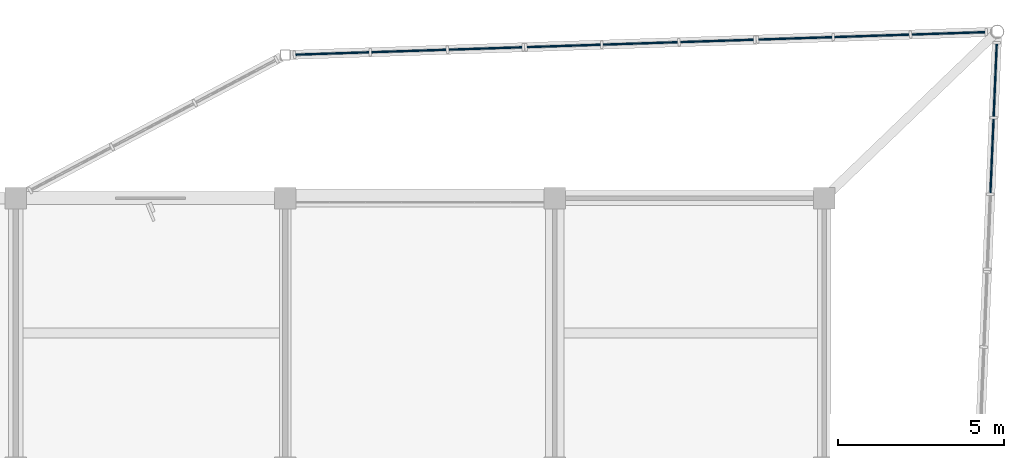
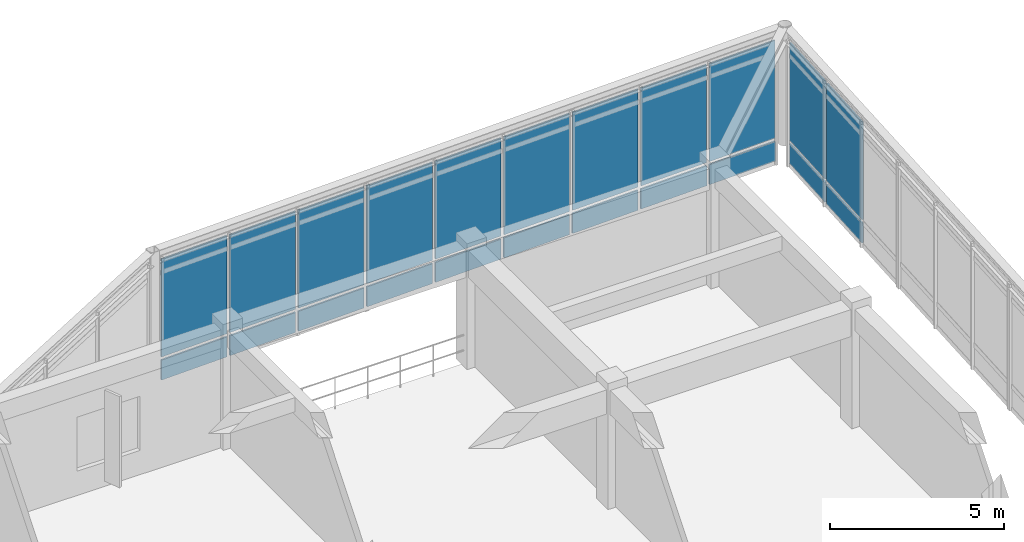
# One storey, part 26 of 42: 22 plates, 4 elements without a shape of their own.
"""IFC4 building model written with IfcOpenShell, lengths in metres."""

import ifcopenshell
import ifcopenshell.guid

model = None  # the IFC model being written
_history = None  # IfcOwnerHistory: only IFC2X3 demands one
_inside = {}  # id of a spatial element -> (the spatial element, [elements in it])
_under = {}  # id of a project, library or spatial element -> (it, [spatial elements below it])
_declared = {}  # id of a project -> (the project, [libraries it declares])
_typed = {}  # id of a type object -> (the type object, [elements of that type])
_made_of = {}  # id of a material, layer set ... -> (it, [elements and type objects made of it])


def new_model(schema):
    """Start an empty IFC model of exactly this schema.

    Asked for "IFC4X3", IfcOpenShell would pick the latest addendum, in which some entities
    have other attributes; the version numbers below select the first issue.
    IFC2X3 requires an IfcOwnerHistory on every rooted entity: one is made here for all.
    """
    global model, _history
    if schema == "IFC4X3":
        model = ifcopenshell.file(schema_version=(4, 3, 0, 0))
    else:
        model = ifcopenshell.file(schema=schema)
    _inside.clear()
    _under.clear()
    _declared.clear()
    _typed.clear()
    _made_of.clear()
    _history = None
    if model.schema == "IFC2X3":
        org = make("IfcOrganization", Name="unknown")
        user = make(
            "IfcPersonAndOrganization",
            ThePerson=make("IfcPerson", FamilyName="unknown"),
            TheOrganization=org,
        )
        app = make(
            "IfcApplication",
            ApplicationDeveloper=org,
            Version="unknown",
            ApplicationFullName="unknown",
            ApplicationIdentifier="unknown",
        )
        _history = make(
            "IfcOwnerHistory",
            OwningUser=user,
            OwningApplication=app,
            ChangeAction="ADDED",
            CreationDate=0,
        )
    return model


def make(cls, **values):
    """One entity of the class cls with the attributes given. An attribute that is None is left unset."""
    return model.create_entity(
        cls, **{name: value for name, value in values.items() if value is not None}
    )


def rooted(cls, **values):
    """An entity with a GlobalId (a new one), such as an element, a storey or a relation."""
    return make(cls, GlobalId=ifcopenshell.guid.new(), OwnerHistory=_history, **values)


def si_unit(unit_type, name, prefix=None):
    """IfcSIUnit, for example si_unit("LENGTHUNIT", "METRE", prefix="MILLI")."""
    return make("IfcSIUnit", UnitType=unit_type, Prefix=prefix, Name=name)


def assignment(units):
    """IfcUnitAssignment: the units of a project."""
    return None if units is None else make("IfcUnitAssignment", Units=units)


def point(xyz):
    """IfcCartesianPoint."""
    return None if xyz is None else make("IfcCartesianPoint", Coordinates=xyz)


def direction(xyz):
    """IfcDirection."""
    return None if xyz is None else make("IfcDirection", DirectionRatios=xyz)


def frame(location, z_axis=None, x_axis=None):
    """IfcAxis2Placement3D, a coordinate frame: its origin and axes. An axis left out is left unset."""
    return make(
        "IfcAxis2Placement3D",
        Location=point(location),
        Axis=direction(z_axis),
        RefDirection=direction(x_axis),
    )


def frame_2d(location, x_axis=None):
    """IfcAxis2Placement2D, a coordinate frame in the plane: its origin and x axis."""
    return make(
        "IfcAxis2Placement2D", Location=point(location), RefDirection=direction(x_axis)
    )


def origin():
    """The frame at (0, 0, 0) with its axes left unset."""
    return frame((0.0, 0.0, 0.0))


def origin_2d():
    """The frame at (0, 0) in the plane with its x axis left unset."""
    return frame_2d((0.0, 0.0))


def place(relative_to, where):
    """IfcLocalPlacement: puts the frame where relative to a parent placement (None: the world)."""
    return make(
        "IfcLocalPlacement", PlacementRelTo=relative_to, RelativePlacement=where
    )


def context(
    kind, dimensions, precision=None, world=None, true_north=None, identifier=None
):
    """IfcGeometricRepresentationContext, for example the 3D "Model" context."""
    return make(
        "IfcGeometricRepresentationContext",
        ContextIdentifier=identifier,
        ContextType=kind,
        CoordinateSpaceDimension=dimensions,
        Precision=precision,
        WorldCoordinateSystem=world,
        TrueNorth=true_north,
    )


def subcontext(parent, identifier, kind, view, scale=None):
    """IfcGeometricRepresentationSubContext, for example "Body" below "Model"."""
    return make(
        "IfcGeometricRepresentationSubContext",
        ContextIdentifier=identifier,
        ContextType=kind,
        ParentContext=parent,
        TargetScale=scale,
        TargetView=view,
    )


def project(units=None, contexts=None):
    """IfcProject with its units and contexts."""
    return rooted(
        "IfcProject",
        Name="project",
        RepresentationContexts=contexts,
        UnitsInContext=assignment(units),
    )


def spatial(cls, under=None, at=None, **own):
    """A site, building, storey or space (cls), placed at a placement, below another one or the project."""
    s = rooted(cls, ObjectPlacement=at, **own)
    if under is not None:
        _under.setdefault(under.id(), (under, []))[1].append(s)
    return s


def profile(cls, at=None, kind="AREA", **sizes):
    """A parametric profile (cls). Its sizes go by their IFC names, for example OverallWidth=200.0."""
    return make(cls, ProfileType=kind, Position=at, **sizes)


def rectangle(**sizes):
    """IfcRectangleProfileDef."""
    return profile("IfcRectangleProfileDef", **sizes)


def extrude(swept, where, along, depth):
    """IfcExtrudedAreaSolid: the profile swept, set in the frame where, extruded along a direction by depth."""
    return make(
        "IfcExtrudedAreaSolid",
        SweptArea=swept,
        Position=where,
        ExtrudedDirection=direction(along),
        Depth=depth,
    )


def shape(context_of_items, identifier, shape_type, items):
    """IfcShapeRepresentation: the items that make up one representation, for example the "Body"."""
    return make(
        "IfcShapeRepresentation",
        ContextOfItems=context_of_items,
        RepresentationIdentifier=identifier,
        RepresentationType=shape_type,
        Items=items,
    )


def material(Name=None, Category=None):
    """IfcMaterial."""
    return make("IfcMaterial", Name=Name, Category=Category)


def layer(
    of_material, thickness, ventilated=None, Name=None, Category=None, Priority=None
):
    """IfcMaterialLayer: one layer of a wall or slab, of a material (None: an air gap)."""
    return make(
        "IfcMaterialLayer",
        Material=of_material,
        LayerThickness=thickness,
        IsVentilated=ventilated,
        Name=Name,
        Category=Category,
        Priority=Priority,
    )


def layer_set(layers, Name=None):
    """IfcMaterialLayerSet."""
    return make("IfcMaterialLayerSet", MaterialLayers=layers, LayerSetName=Name)


def made_of(thing, what):
    """Note that an element or type object is made of a material, layer set ...; save() writes the relation."""
    if what is not None:
        _made_of.setdefault(what.id(), (what, []))[1].append(thing)
    return thing


def type_object(cls, material=None, **own):
    """A type object (cls), such as IfcWallType, which elements share."""
    return made_of(rooted(cls, **own), material)


def element(
    cls,
    number,
    at=None,
    inside=None,
    cuts=None,
    type_object=None,
    material=None,
    context=None,
    identifier="Body",
    shape_type=None,
    held_by="IfcProductDefinitionShape",
    body=None,
    shapes=None,
    **own,
):
    """One element of the class cls, such as IfcWall. Its Tag is "e" and its number.

    at: its placement. inside: the storey or other place that contains it. cuts: it is an
    opening in that element (IfcRelVoidsElement). A single representation is given by context,
    identifier, shape_type and body (its items); several are given by shapes. held_by: the class
    of the entity that holds the representations. save() writes the other relations.
    """
    e = rooted(cls, Tag="e%d" % number, ObjectPlacement=at, **own)
    if body is not None:
        shapes = [shape(context, identifier, shape_type, body)]
    if shapes is not None:
        e.Representation = make(held_by, Representations=shapes)
    if inside is not None:
        _inside.setdefault(inside.id(), (inside, []))[1].append(e)
    if cuts is not None:
        rooted(
            "IfcRelVoidsElement", RelatingBuildingElement=cuts, RelatedOpeningElement=e
        )
    if type_object is not None:
        _typed.setdefault(type_object.id(), (type_object, []))[1].append(e)
    return made_of(e, material)


def aggregate(whole, parts):
    """IfcRelAggregates: a whole, such as a stair, and the parts it consists of."""
    return rooted("IfcRelAggregates", RelatingObject=whole, RelatedObjects=parts)


def save(model, path):
    """Write the relations noted so far, then the file.

    IfcRelAggregates (storeys below a building ...), IfcRelContainedInSpatialStructure (elements
    in a storey), IfcRelDefinesByType, IfcRelAssociatesMaterial and IfcRelDeclares: one each for
    every whole, place, type object, material and project.
    """
    for whole, parts in _under.values():
        aggregate(whole, parts)
    for where, things in _inside.values():
        rooted(
            "IfcRelContainedInSpatialStructure",
            RelatedElements=things,
            RelatingStructure=where,
        )
    for kind, things in _typed.values():
        rooted("IfcRelDefinesByType", RelatedObjects=things, RelatingType=kind)
    for what, things in _made_of.values():
        rooted("IfcRelAssociatesMaterial", RelatedObjects=things, RelatingMaterial=what)
    for by, libraries in _declared.values():
        rooted("IfcRelDeclares", RelatingContext=by, RelatedDefinitions=libraries)
    model.write(path)


model = new_model("IFC4")

# Units and contexts
model_context = context("Model", 3, precision=1e-05, world=origin(), true_north=direction((0.0, 1.0)))
body_context = subcontext(model_context, "Body", "Model", "MODEL_VIEW")
ifc_project = project(units=[si_unit("LENGTHUNIT", "METRE"), si_unit("AREAUNIT", "SQUARE_METRE"), si_unit("VOLUMEUNIT", "CUBIC_METRE"), si_unit("PLANEANGLEUNIT", "RADIAN"), si_unit("MASSUNIT", "GRAM", prefix="KILO")], contexts=[model_context])

# Site, building, storey
site_placement = place(None, origin())
site = spatial("IfcSite", under=ifc_project, at=site_placement, CompositionType="ELEMENT")
building_placement = place(site_placement, origin())
building = spatial("IfcBuilding", under=site, at=building_placement, Name="Vaudrelin Polytechnic", CompositionType="ELEMENT")
storey_placement = place(building_placement, frame((0.0, 0.0, 18.530029296875)))
storey = spatial("IfcBuildingStorey", under=building, at=storey_placement, Name="L04", CompositionType="ELEMENT", Elevation=18.530029296875)

# Curtain wall, plates
ifc_material_1 = material(Name="Thermally broken anodised aluminium AA 6063-T6 and low-e triple glazing", Category="aluminium")
ifc_layer_1 = layer(ifc_material_1, 0.199951171875)
ifc_layer_set_1 = layer_set([ifc_layer_1], Name="Thermally broken anodised aluminium AA 6063-T6 and low-e triple glazing")
curtain_wall_type = type_object("IfcCurtainWallType", Name="CW-CW-LAB", PredefinedType="USERDEFINED", material=ifc_layer_set_1)
curtain_wall_1_placement = place(storey_placement, origin())
curtain_wall_1 = element("IfcCurtainWall", 1, at=curtain_wall_1_placement, inside=storey, type_object=curtain_wall_type, Name="Curtain wall L04 NEP_2_0", ObjectType="CURTAIN WALL", PredefinedType="USERDEFINED")
ifc_material_2 = material(Name="Insulated ceramic-frit spandrel glass panel", Category="glass")
ifc_layer_2 = layer(ifc_material_2, 0.052001953125)
ifc_layer_set_2 = layer_set([ifc_layer_2], Name="Insulated ceramic-frit spandrel glass panel")
plate_type_1 = type_object("IfcPlateType", Name="PLT-GLZ-SPAND", PredefinedType="CURTAIN_PANEL", material=ifc_layer_set_2)
plate_1_placement = place(storey_placement, frame((155.297119140625, 125.845703125, -0.5400390625), z_axis=(0.0, 0.0, 1.0), x_axis=(0.999465454284, 0.032692593862, 0.0)))
plate_1 = element("IfcPlate", 2, at=plate_1_placement, type_object=plate_type_1, Name="NEP_2_0 spandrel panel 1", PredefinedType="CURTAIN_PANEL", context=body_context, shape_type="SweptSolid", body=[
    extrude(rectangle(XDim=2.220703125, YDim=0.052001953125, at=origin_2d()), origin(), (0.0, 0.0, 1.0), 0.699951171875),
])
plate_2_placement = place(storey_placement, frame((157.616455078125, 125.921630859375, -0.5400390625), z_axis=(0.0, 0.0, 1.0), x_axis=(0.999465454284, 0.032692593862, 0.0)))
plate_2 = element("IfcPlate", 3, at=plate_2_placement, type_object=plate_type_1, Name="NEP_2_0 spandrel panel 2", PredefinedType="CURTAIN_PANEL", context=body_context, shape_type="SweptSolid", body=[
    extrude(rectangle(XDim=2.220703125, YDim=0.052001953125, at=origin_2d()), origin(), (0.0, 0.0, 1.0), 0.699951171875),
])
plate_3_placement = place(storey_placement, frame((159.935791015625, 125.99755859375, -0.5400390625), z_axis=(0.0, 0.0, 1.0), x_axis=(0.999465454284, 0.032692593862, 0.0)))
plate_3 = element("IfcPlate", 4, at=plate_3_placement, type_object=plate_type_1, Name="NEP_2_0 spandrel panel 3", PredefinedType="CURTAIN_PANEL", context=body_context, shape_type="SweptSolid", body=[
    extrude(rectangle(XDim=2.220703125, YDim=0.052001953125, at=origin_2d()), origin(), (0.0, 0.0, 1.0), 0.699951171875),
])

curtain_wall_2_placement = place(storey_placement, origin())
curtain_wall_2 = element("IfcCurtainWall", 5, at=curtain_wall_2_placement, inside=storey, type_object=curtain_wall_type, Name="Curtain wall L04 NEP_2_1", ObjectType="CURTAIN WALL", PredefinedType="USERDEFINED")
plate_4_placement = place(storey_placement, frame((162.25537109375, 126.0732421875, -0.5400390625), z_axis=(0.0, 0.0, 1.0), x_axis=(0.999465454284, 0.032692593862, 0.0)))
plate_4 = element("IfcPlate", 6, at=plate_4_placement, type_object=plate_type_1, Name="NEP_2_1 spandrel panel 1", PredefinedType="CURTAIN_PANEL", context=body_context, shape_type="SweptSolid", body=[
    extrude(rectangle(XDim=2.220703125, YDim=0.052001953125, at=origin_2d()), origin(), (0.0, 0.0, 1.0), 0.699951171875),
])
plate_5_placement = place(storey_placement, frame((164.57470703125, 126.149169921875, -0.5400390625), z_axis=(0.0, 0.0, 1.0), x_axis=(0.999465454284, 0.032692593862, 0.0)))
plate_5 = element("IfcPlate", 7, at=plate_5_placement, type_object=plate_type_1, Name="NEP_2_1 spandrel panel 2", PredefinedType="CURTAIN_PANEL", context=body_context, shape_type="SweptSolid", body=[
    extrude(rectangle(XDim=2.220703125, YDim=0.052001953125, at=origin_2d()), origin(), (0.0, 0.0, 1.0), 0.699951171875),
])
plate_6_placement = place(storey_placement, frame((166.89404296875, 126.22509765625, -0.5400390625), z_axis=(0.0, 0.0, 1.0), x_axis=(0.999465454284, 0.032692593862, 0.0)))
plate_6 = element("IfcPlate", 8, at=plate_6_placement, type_object=plate_type_1, Name="NEP_2_1 spandrel panel 3", PredefinedType="CURTAIN_PANEL", context=body_context, shape_type="SweptSolid", body=[
    extrude(rectangle(XDim=2.220703125, YDim=0.052001953125, at=origin_2d()), origin(), (0.0, 0.0, 1.0), 0.699951171875),
])

curtain_wall_3_placement = place(storey_placement, origin())
curtain_wall_3 = element("IfcCurtainWall", 9, at=curtain_wall_3_placement, inside=storey, type_object=curtain_wall_type, Name="Curtain wall L04 NEP_2_2", ObjectType="CURTAIN WALL", PredefinedType="USERDEFINED")
plate_7_placement = place(storey_placement, frame((169.21337890625, 126.30078125, -0.5400390625), z_axis=(0.0, 0.0, 1.0), x_axis=(0.999465454284, 0.032692593862, 0.0)))
plate_7 = element("IfcPlate", 10, at=plate_7_placement, type_object=plate_type_1, Name="NEP_2_2 spandrel panel 1", PredefinedType="CURTAIN_PANEL", context=body_context, shape_type="SweptSolid", body=[
    extrude(rectangle(XDim=2.220703125, YDim=0.052001953125, at=origin_2d()), origin(), (0.0, 0.0, 1.0), 0.699951171875),
])
plate_8_placement = place(storey_placement, frame((171.53271484375, 126.376708984375, -0.5400390625), z_axis=(0.0, 0.0, 1.0), x_axis=(0.999465454284, 0.032692593862, 0.0)))
plate_8 = element("IfcPlate", 11, at=plate_8_placement, type_object=plate_type_1, Name="NEP_2_2 spandrel panel 2", PredefinedType="CURTAIN_PANEL", context=body_context, shape_type="SweptSolid", body=[
    extrude(rectangle(XDim=2.220703125, YDim=0.052001953125, at=origin_2d()), origin(), (0.0, 0.0, 1.0), 0.699951171875),
])
plate_9_placement = place(storey_placement, frame((173.85205078125, 126.45263671875, -0.5400390625), z_axis=(0.0, 0.0, 1.0), x_axis=(0.999465454284, 0.032692593862, 0.0)))
plate_9 = element("IfcPlate", 12, at=plate_9_placement, type_object=plate_type_1, Name="NEP_2_2 spandrel panel 3", PredefinedType="CURTAIN_PANEL", context=body_context, shape_type="SweptSolid", body=[
    extrude(rectangle(XDim=2.220703125, YDim=0.052001953125, at=origin_2d()), origin(), (0.0, 0.0, 1.0), 0.699951171875),
])

curtain_wall_4_placement = place(storey_placement, origin())
curtain_wall_4 = element("IfcCurtainWall", 13, at=curtain_wall_4_placement, inside=storey, type_object=curtain_wall_type, Name="Curtain wall L04 NEP_3_0", ObjectType="CURTAIN WALL", PredefinedType="USERDEFINED")
plate_10_placement = place(storey_placement, frame((175.239013671875, 125.063232421875, -0.5400390625), z_axis=(0.0, 0.0, 1.0), x_axis=(-0.042419882824, -0.999099871655, 0.0)))
plate_10 = element("IfcPlate", 14, at=plate_10_placement, type_object=plate_type_1, Name="NEP_3_0 spandrel panel 1", PredefinedType="CURTAIN_PANEL", context=body_context, shape_type="SweptSolid", body=[
    extrude(rectangle(XDim=2.19921875, YDim=0.052001953125, at=origin_2d()), origin(), (0.0, 0.0, 1.0), 0.699951171875),
])
plate_11_placement = place(storey_placement, frame((175.1416015625, 122.76611328125, -0.5400390625), z_axis=(0.0, 0.0, 1.0), x_axis=(-0.042419882824, -0.999099871655, 0.0)))
plate_11 = element("IfcPlate", 15, at=plate_11_placement, type_object=plate_type_1, Name="NEP_3_0 spandrel panel 2", PredefinedType="CURTAIN_PANEL", context=body_context, shape_type="SweptSolid", body=[
    extrude(rectangle(XDim=2.19921875, YDim=0.052001953125, at=origin_2d()), origin(), (0.0, 0.0, 1.0), 0.699951171875),
])

# Plate
ifc_material_3 = material(Name="Triple low-e argon insulated glazing unit", Category="glass")
ifc_layer_3 = layer(ifc_material_3, 0.0439453125)
ifc_layer_set_3 = layer_set([ifc_layer_3], Name="Triple low-e argon insulated glazing unit")
plate_type_2 = type_object("IfcPlateType", Name="PLT-GLZ-TRIPLE", PredefinedType="CURTAIN_PANEL", material=ifc_layer_set_3)
plate_12_placement = place(storey_placement, frame((155.297119140625, 125.845703125, 0.27001953125), z_axis=(0.0, 0.0, 1.0), x_axis=(0.999465454284, 0.032692593862, 0.0)))
plate_12 = element("IfcPlate", 16, at=plate_12_placement, type_object=plate_type_2, Name="NEP_2_0 vision panel 1", PredefinedType="CURTAIN_PANEL", context=body_context, shape_type="SweptSolid", body=[
    extrude(rectangle(XDim=2.220703125, YDim=0.0439453125, at=origin_2d()), origin(), (0.0, 0.0, 1.0), 3.43994140625),
])

plate_13_placement = place(storey_placement, frame((157.616455078125, 125.921630859375, 0.27001953125), z_axis=(0.0, 0.0, 1.0), x_axis=(0.999465454284, 0.032692593862, 0.0)))
plate_13 = element("IfcPlate", 17, at=plate_13_placement, type_object=plate_type_2, Name="NEP_2_0 vision panel 2", PredefinedType="CURTAIN_PANEL", context=body_context, shape_type="SweptSolid", body=[
    extrude(rectangle(XDim=2.220703125, YDim=0.0439453125, at=origin_2d()), origin(), (0.0, 0.0, 1.0), 3.43994140625),
])

plate_14_placement = place(storey_placement, frame((159.935791015625, 125.99755859375, 0.27001953125), z_axis=(0.0, 0.0, 1.0), x_axis=(0.999465454284, 0.032692593862, 0.0)))
plate_14 = element("IfcPlate", 18, at=plate_14_placement, type_object=plate_type_2, Name="NEP_2_0 vision panel 3", PredefinedType="CURTAIN_PANEL", context=body_context, shape_type="SweptSolid", body=[
    extrude(rectangle(XDim=2.220703125, YDim=0.0439453125, at=origin_2d()), origin(), (0.0, 0.0, 1.0), 3.43994140625),
])

aggregate(curtain_wall_1, [plate_1, plate_12, plate_2, plate_13, plate_3, plate_14])

plate_15_placement = place(storey_placement, frame((162.25537109375, 126.0732421875, 0.27001953125), z_axis=(0.0, 0.0, 1.0), x_axis=(0.999465454284, 0.032692593862, 0.0)))
plate_15 = element("IfcPlate", 19, at=plate_15_placement, type_object=plate_type_2, Name="NEP_2_1 vision panel 1", PredefinedType="CURTAIN_PANEL", context=body_context, shape_type="SweptSolid", body=[
    extrude(rectangle(XDim=2.220703125, YDim=0.0439453125, at=origin_2d()), origin(), (0.0, 0.0, 1.0), 3.43994140625),
])

plate_16_placement = place(storey_placement, frame((164.57470703125, 126.149169921875, 0.27001953125), z_axis=(0.0, 0.0, 1.0), x_axis=(0.999465454284, 0.032692593862, 0.0)))
plate_16 = element("IfcPlate", 20, at=plate_16_placement, type_object=plate_type_2, Name="NEP_2_1 vision panel 2", PredefinedType="CURTAIN_PANEL", context=body_context, shape_type="SweptSolid", body=[
    extrude(rectangle(XDim=2.220703125, YDim=0.0439453125, at=origin_2d()), origin(), (0.0, 0.0, 1.0), 3.43994140625),
])

plate_17_placement = place(storey_placement, frame((166.89404296875, 126.22509765625, 0.27001953125), z_axis=(0.0, 0.0, 1.0), x_axis=(0.999465454284, 0.032692593862, 0.0)))
plate_17 = element("IfcPlate", 21, at=plate_17_placement, type_object=plate_type_2, Name="NEP_2_1 vision panel 3", PredefinedType="CURTAIN_PANEL", context=body_context, shape_type="SweptSolid", body=[
    extrude(rectangle(XDim=2.220703125, YDim=0.0439453125, at=origin_2d()), origin(), (0.0, 0.0, 1.0), 3.43994140625),
])

aggregate(curtain_wall_2, [plate_4, plate_15, plate_5, plate_16, plate_6, plate_17])

plate_18_placement = place(storey_placement, frame((169.21337890625, 126.30078125, 0.27001953125), z_axis=(0.0, 0.0, 1.0), x_axis=(0.999465454284, 0.032692593862, 0.0)))
plate_18 = element("IfcPlate", 22, at=plate_18_placement, type_object=plate_type_2, Name="NEP_2_2 vision panel 1", PredefinedType="CURTAIN_PANEL", context=body_context, shape_type="SweptSolid", body=[
    extrude(rectangle(XDim=2.220703125, YDim=0.0439453125, at=origin_2d()), origin(), (0.0, 0.0, 1.0), 3.43994140625),
])

plate_19_placement = place(storey_placement, frame((171.53271484375, 126.376708984375, 0.27001953125), z_axis=(0.0, 0.0, 1.0), x_axis=(0.999465454284, 0.032692593862, 0.0)))
plate_19 = element("IfcPlate", 23, at=plate_19_placement, type_object=plate_type_2, Name="NEP_2_2 vision panel 2", PredefinedType="CURTAIN_PANEL", context=body_context, shape_type="SweptSolid", body=[
    extrude(rectangle(XDim=2.220703125, YDim=0.0439453125, at=origin_2d()), origin(), (0.0, 0.0, 1.0), 3.43994140625),
])

plate_20_placement = place(storey_placement, frame((173.85205078125, 126.45263671875, 0.27001953125), z_axis=(0.0, 0.0, 1.0), x_axis=(0.999465454284, 0.032692593862, 0.0)))
plate_20 = element("IfcPlate", 24, at=plate_20_placement, type_object=plate_type_2, Name="NEP_2_2 vision panel 3", PredefinedType="CURTAIN_PANEL", context=body_context, shape_type="SweptSolid", body=[
    extrude(rectangle(XDim=2.220703125, YDim=0.0439453125, at=origin_2d()), origin(), (0.0, 0.0, 1.0), 3.43994140625),
])

aggregate(curtain_wall_3, [plate_7, plate_18, plate_8, plate_19, plate_9, plate_20])

plate_21_placement = place(storey_placement, frame((175.239013671875, 125.063232421875, 0.27001953125), z_axis=(0.0, 0.0, 1.0), x_axis=(-0.042419882824, -0.999099871655, 0.0)))
plate_21 = element("IfcPlate", 25, at=plate_21_placement, type_object=plate_type_2, Name="NEP_3_0 vision panel 1", PredefinedType="CURTAIN_PANEL", context=body_context, shape_type="SweptSolid", body=[
    extrude(rectangle(XDim=2.19921875, YDim=0.0439453125, at=origin_2d()), origin(), (0.0, 0.0, 1.0), 3.43994140625),
])

plate_22_placement = place(storey_placement, frame((175.1416015625, 122.76611328125, 0.27001953125), z_axis=(0.0, 0.0, 1.0), x_axis=(-0.042419882824, -0.999099871655, 0.0)))
plate_22 = element("IfcPlate", 26, at=plate_22_placement, type_object=plate_type_2, Name="NEP_3_0 vision panel 2", PredefinedType="CURTAIN_PANEL", context=body_context, shape_type="SweptSolid", body=[
    extrude(rectangle(XDim=2.19921875, YDim=0.0439453125, at=origin_2d()), origin(), (0.0, 0.0, 1.0), 3.43994140625),
])

aggregate(curtain_wall_4, [plate_10, plate_21, plate_11, plate_22])

save(model, "model.ifc")
